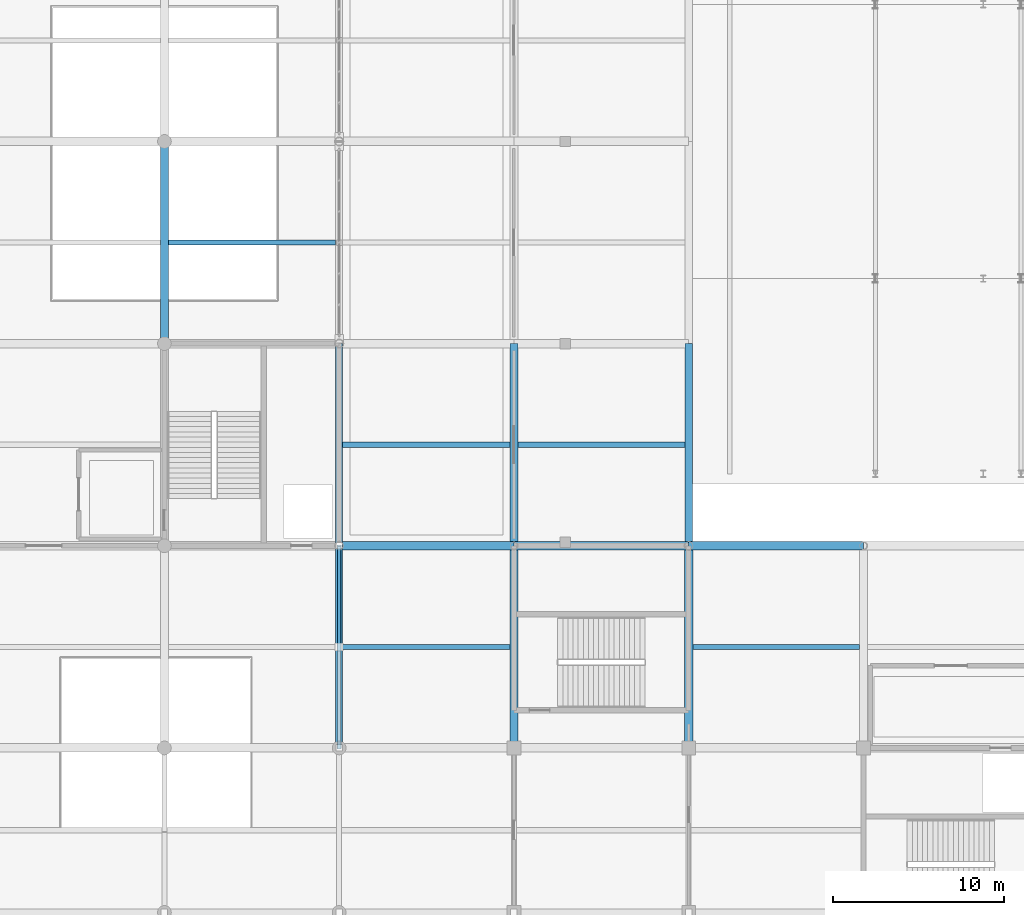
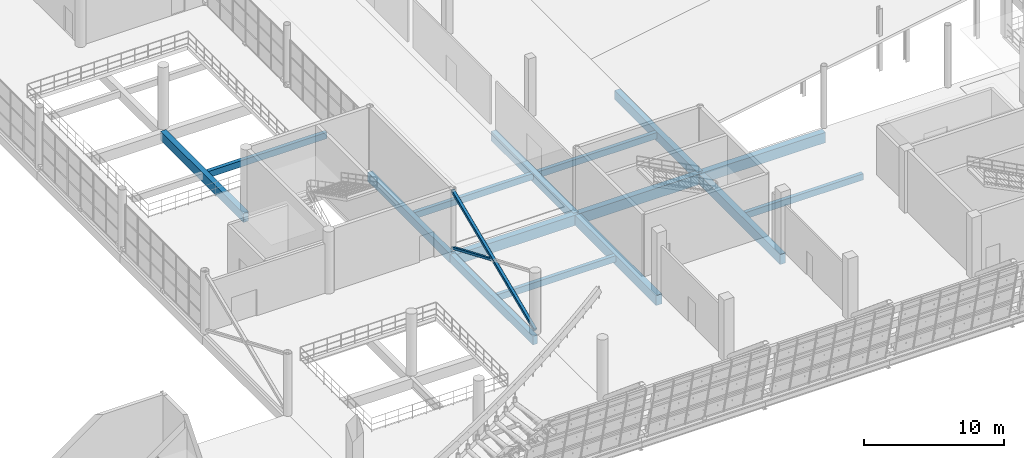
# One storey, part 56 of 175: 15 beams, 2 members.
"""IFC4 building model written with IfcOpenShell, lengths in metres."""

from ifc_helpers import new_model, si_unit, direction, frame, origin, origin_2d, place, context, subcontext, project, spatial, rectangle, hollow_rectangle, extrude, material, material_profile, profile_set, type_object, element, save


model = new_model("IFC4")

# Units and contexts
model_context = context("Model", 3, precision=1e-05, world=origin(), true_north=direction((0.0, 1.0)))
body_context = subcontext(model_context, "Body", "Model", "MODEL_VIEW")
ifc_project = project(units=[si_unit("LENGTHUNIT", "METRE"), si_unit("AREAUNIT", "SQUARE_METRE"), si_unit("VOLUMEUNIT", "CUBIC_METRE"), si_unit("PLANEANGLEUNIT", "RADIAN"), si_unit("MASSUNIT", "GRAM", prefix="KILO")], contexts=[model_context])

# Site, building, storey
site_placement = place(None, origin())
site = spatial("IfcSite", under=ifc_project, at=site_placement, CompositionType="ELEMENT")
building_placement = place(site_placement, origin())
building = spatial("IfcBuilding", under=site, at=building_placement, Name="Brelvane Convention Centre", CompositionType="ELEMENT")
storey_placement = place(building_placement, frame((0.0, 0.0, 5.39990234375)))
storey = spatial("IfcBuildingStorey", under=building, at=storey_placement, Name="L01", CompositionType="ELEMENT", Elevation=5.39990234375)

# Beams
ifc_material_1 = material(Name="Concrete M40", Category="concrete")
ifc_material_profile_1 = material_profile(ifc_material_1, rectangle(XDim=0.47998046875, YDim=0.8798828125, at=origin_2d()), Name="RC 480x880")
ifc_profile_set_1 = profile_set([ifc_material_profile_1], Name="Concrete M40")
beam_type_1 = type_object("IfcBeamType", Name="RC Beam B-RC10 (RC 480x880)", PredefinedType="BEAM", material=ifc_profile_set_1)
for number, where, z_axis, x_axis, name in (
    (1, (173.39990234375, 28.800048828125, -0.760009765625), (0.0, 1.0, 0.0), (-1.0, 0.0, 0.0), "L01 Girder 18/D-E"),
    (2, (183.60009765625, 28.800048828125, -0.760009765625), (0.0, 1.0, 0.0), (-1.0, 0.0, 0.0), "L01 Girder 19/D-E"),
):
    element("IfcBeam", number, at=place(storey_placement, frame(where, z_axis=z_axis, x_axis=x_axis)), inside=storey, type_object=beam_type_1, Name=name, PredefinedType="BEAM", context=body_context, shape_type="SweptSolid", body=[
        extrude(rectangle(XDim=0.47998046875, YDim=0.8798828125, at=origin_2d()), origin(), (0.0, 0.0, 1.0), 11.800048828125),
    ])
ifc_material_2 = material(Name="Concrete M40", Category="concrete")
ifc_material_profile_2 = material_profile(ifc_material_2, rectangle(XDim=0.5, YDim=0.89990234375, at=origin_2d()), Name="RC 500x900")
ifc_profile_set_2 = profile_set([ifc_material_profile_2], Name="Concrete M40")
beam_type_2 = type_object("IfcBeamType", Name="RC Beam B-RC4 (RC 500x900)", PredefinedType="BEAM", material=ifc_profile_set_2)
beam_1_placement = place(storey_placement, frame((163.199951171875, 40.60009765625, -0.77001953125), z_axis=(1.0, 0.0, 0.0), x_axis=(0.0, 1.0, 0.0)))
element("IfcBeam", 3, at=beam_1_placement, inside=storey, type_object=beam_type_2, Name="L01 Beam 17-18/E", PredefinedType="BEAM", context=body_context, shape_type="SweptSolid", body=[
    extrude(rectangle(XDim=0.5, YDim=0.89990234375, at=origin_2d()), origin(), (0.0, 0.0, 1.0), 10.199951171875),
])
beam_2_placement = place(storey_placement, frame((173.39990234375, 40.60009765625, -0.77001953125), z_axis=(1.0, 0.0, 0.0), x_axis=(0.0, 1.0, 0.0)))
element("IfcBeam", 4, at=beam_2_placement, inside=storey, type_object=beam_type_2, Name="L01 Beam 18-19/E", PredefinedType="BEAM", context=body_context, shape_type="SweptSolid", body=[
    extrude(rectangle(XDim=0.5, YDim=0.89990234375, at=origin_2d()), origin(), (0.0, 0.0, 1.0), 10.2001953125),
])
beam_3_placement = place(storey_placement, frame((183.60009765625, 40.60009765625, -0.77001953125), z_axis=(1.0, 0.0, 0.0), x_axis=(0.0, 1.0, 0.0)))
element("IfcBeam", 5, at=beam_3_placement, inside=storey, type_object=beam_type_2, Name="L01 Beam 19-20/E", PredefinedType="BEAM", context=body_context, shape_type="SweptSolid", body=[
    extrude(rectangle(XDim=0.5, YDim=0.89990234375, at=origin_2d()), origin(), (0.0, 0.0, 1.0), 10.199951171875),
])
ifc_material_3 = material(Name="Concrete M40", Category="concrete")
ifc_material_profile_3 = material_profile(ifc_material_3, rectangle(XDim=0.449951171875, YDim=0.800048828125, at=origin_2d()), Name="RC 450x800")
ifc_profile_set_3 = profile_set([ifc_material_profile_3], Name="Concrete M40")
beam_type_3 = type_object("IfcBeamType", Name="RC Beam B-RC5 (RC 450x800)", PredefinedType="BEAM", material=ifc_profile_set_3)
beam_4_placement = place(storey_placement, frame((153.0, 52.39990234375, -0.72998046875), z_axis=(0.0, 1.0, 0.0), x_axis=(-1.0, 0.0, 0.0)))
element("IfcBeam", 6, at=beam_4_placement, inside=storey, type_object=beam_type_3, Name="L01 Girder 16/F-G", PredefinedType="BEAM", context=body_context, shape_type="SweptSolid", body=[
    extrude(rectangle(XDim=0.449951171875, YDim=0.800048828125, at=origin_2d()), origin(), (0.0, 0.0, 1.0), 11.800048828125),
])
for number, where, z_axis, x_axis, name in (
    (7, (173.39990234375, 40.60009765625, -0.719970703125), (0.0, 1.0, 0.0), (-1.0, 0.0, 0.0), "L01 Girder 18/E-F"),
    (8, (183.60009765625, 40.60009765625, -0.719970703125), (0.0, 1.0, 0.0), (-1.0, 0.0, 0.0), "L01 Girder 19/E-F"),
):
    element("IfcBeam", number, at=place(storey_placement, frame(where, z_axis=z_axis, x_axis=x_axis)), inside=storey, type_object=beam_type_3, Name=name, PredefinedType="BEAM", context=body_context, shape_type="SweptSolid", body=[
        extrude(rectangle(XDim=0.449951171875, YDim=0.800048828125, at=origin_2d()), origin(), (0.0, 0.0, 1.0), 11.7998046875),
    ])
ifc_material_4 = material(Name="Concrete M40", Category="concrete")
ifc_material_profile_4 = material_profile(ifc_material_4, rectangle(XDim=0.300048828125, YDim=0.550048828125, at=origin_2d()), Name="RC 300x550")
ifc_profile_set_4 = profile_set([ifc_material_profile_4], Name="Concrete M40")
beam_type_4 = type_object("IfcBeamType", Name="RC Joist J-RC1 (RC 300x550)", PredefinedType="JOIST", material=ifc_profile_set_4)
beam_5_placement = place(storey_placement, frame((153.22509765625, 58.300048828125, -0.60498046875), z_axis=(1.0, 0.0, 0.0), x_axis=(0.0, 1.0, 0.0)))
element("IfcBeam", 9, at=beam_5_placement, inside=storey, type_object=beam_type_4, Name="L01 Secondary Joist 16-17/FG", PredefinedType="JOIST", context=body_context, shape_type="SweptSolid", body=[
    extrude(rectangle(XDim=0.300048828125, YDim=0.550048828125, at=origin_2d()), origin(), (0.0, 0.0, 1.0), 9.77490234375),
])
beam_6_placement = place(storey_placement, frame((163.39990234375, 34.699951171875, -0.594970703125), z_axis=(1.0, 0.0, 0.0), x_axis=(0.0, 1.0, 0.0)))
element("IfcBeam", 10, at=beam_6_placement, inside=storey, type_object=beam_type_4, Name="L01 Secondary Joist 17-18/DE", PredefinedType="JOIST", context=body_context, shape_type="SweptSolid", body=[
    extrude(rectangle(XDim=0.300048828125, YDim=0.550048828125, at=origin_2d()), origin(), (0.0, 0.0, 1.0), 9.760009765625),
])
beam_7_placement = place(storey_placement, frame((163.39990234375, 46.5, -0.594970703125), z_axis=(1.0, 0.0, 0.0), x_axis=(0.0, 1.0, 0.0)))
element("IfcBeam", 11, at=beam_7_placement, inside=storey, type_object=beam_type_4, Name="L01 Secondary Joist 17-18/EF", PredefinedType="JOIST", context=body_context, shape_type="SweptSolid", body=[
    extrude(rectangle(XDim=0.300048828125, YDim=0.550048828125, at=origin_2d()), origin(), (0.0, 0.0, 1.0), 9.775146484375),
])
beam_8_placement = place(storey_placement, frame((173.625, 46.5, -0.594970703125), z_axis=(1.0, 0.0, 0.0), x_axis=(0.0, 1.0, 0.0)))
element("IfcBeam", 12, at=beam_8_placement, inside=storey, type_object=beam_type_4, Name="L01 Secondary Joist 18-19/EF", PredefinedType="JOIST", context=body_context, shape_type="SweptSolid", body=[
    extrude(rectangle(XDim=0.300048828125, YDim=0.550048828125, at=origin_2d()), origin(), (0.0, 0.0, 1.0), 9.75),
])
beam_9_placement = place(storey_placement, frame((183.840087890625, 34.699951171875, -0.594970703125), z_axis=(1.0, 0.0, 0.0), x_axis=(0.0, 1.0, 0.0)))
element("IfcBeam", 13, at=beam_9_placement, inside=storey, type_object=beam_type_4, Name="L01 Secondary Joist 19-20/DE", PredefinedType="JOIST", context=body_context, shape_type="SweptSolid", body=[
    extrude(rectangle(XDim=0.300048828125, YDim=0.550048828125, at=origin_2d()), origin(), (0.0, 0.0, 1.0), 9.719970703125),
])
ifc_material_5 = material(Name="Concrete M40", Category="concrete")
ifc_material_profile_5 = material_profile(ifc_material_5, rectangle(XDim=0.39990234375, YDim=0.75, at=origin_2d()), Name="RC 400x750")
ifc_profile_set_5 = profile_set([ifc_material_profile_5], Name="Concrete M40")
beam_type_5 = type_object("IfcBeamType", Name="RC Spandrel SP-RC1 (RC 400x750)", PredefinedType="SPANDREL", material=ifc_profile_set_5)
beam_10_placement = place(storey_placement, frame((163.199951171875, 28.800048828125, -0.69482421875), z_axis=(0.0, 1.0, 0.0), x_axis=(-1.0, 0.0, 0.0)))
element("IfcBeam", 14, at=beam_10_placement, inside=storey, type_object=beam_type_5, Name="L01 Girder 17/D-E", PredefinedType="SPANDREL", context=body_context, shape_type="SweptSolid", body=[
    extrude(rectangle(XDim=0.39990234375, YDim=0.75, at=origin_2d()), origin(), (0.0, 0.0, 1.0), 11.800048828125),
])
beam_11_placement = place(storey_placement, frame((163.199951171875, 40.60009765625, -0.704833984375), z_axis=(0.0, 1.0, 0.0), x_axis=(-1.0, 0.0, 0.0)))
element("IfcBeam", 15, at=beam_11_placement, inside=storey, type_object=beam_type_5, Name="L01 Girder 17/E-F", PredefinedType="SPANDREL", context=body_context, shape_type="SweptSolid", body=[
    extrude(rectangle(XDim=0.39990234375, YDim=0.75, at=origin_2d()), origin(), (0.0, 0.0, 1.0), 11.7998046875),
])

# Members
ifc_material_6 = material(Name="Steel E350 (350 MPa)", Category="steel")
ifc_material_profile_6 = material_profile(ifc_material_6, hollow_rectangle(XDim=0.25, YDim=0.25, WallThickness=0.012451171875, InnerFilletRadius=0.012451171875, OuterFilletRadius=0.02490234375, at=origin_2d()), Name="SHS 250x250x12.5")
ifc_profile_set_6 = profile_set([ifc_material_profile_6], Name="Steel E350 (350 MPa)")
member_type_1 = type_object("IfcMemberType", Name="Steel Brace BR-ST2 (SHS 250x250x12.5)", PredefinedType="BRACE", material=ifc_profile_set_6)
member_1_placement = place(storey_placement, frame((163.199951171875, 28.800048828125, 0.2001953125), z_axis=(0.0, 0.920752300623, 0.390147665503), x_axis=(-1.0, 0.0, 0.0)))
element("IfcMember", 16, at=member_1_placement, inside=storey, type_object=member_type_1, Name="Lateral X-Brace Continuous V2W-1-L01-A", PredefinedType="BRACE", context=body_context, shape_type="SweptSolid", body=[
    extrude(hollow_rectangle(XDim=0.25, YDim=0.25, WallThickness=0.012451171875, InnerFilletRadius=0.012451171875, OuterFilletRadius=0.02490234375, at=origin_2d()), origin(), (0.0, 0.0, 1.0), 12.815673828125),
])
ifc_material_7 = material(Name="Steel E350 (350 MPa)", Category="steel")
ifc_material_profile_7 = material_profile(ifc_material_7, hollow_rectangle(XDim=0.199951171875, YDim=0.199951171875, WallThickness=0.010009765625, InnerFilletRadius=0.010009765625, OuterFilletRadius=0.02001953125, at=origin_2d()), Name="SHS 200x200x10.0")
ifc_profile_set_7 = profile_set([ifc_material_profile_7], Name="Steel E350 (350 MPa)")
member_type_2 = type_object("IfcMemberType", Name="Steel Brace BR-ST3 (SHS 200x200x10.0)", PredefinedType="BRACE", material=ifc_profile_set_7)
member_2_placement = place(storey_placement, frame((163.199951171875, 40.60009765625, 0.2001953125), z_axis=(0.0, -0.920755200274, 0.390140822229), x_axis=(1.0, 0.0, 0.0)))
element("IfcMember", 17, at=member_2_placement, inside=storey, type_object=member_type_2, Name="Lateral X-Brace Split Lower V2W-1-L01-B1", PredefinedType="BRACE", context=body_context, shape_type="SweptSolid", body=[
    extrude(hollow_rectangle(XDim=0.199951171875, YDim=0.199951171875, WallThickness=0.010009765625, InnerFilletRadius=0.010009765625, OuterFilletRadius=0.02001953125, at=origin_2d()), origin(), (0.0, 0.0, 1.0), 6.407958984375),
])

save(model, "model.ifc")
